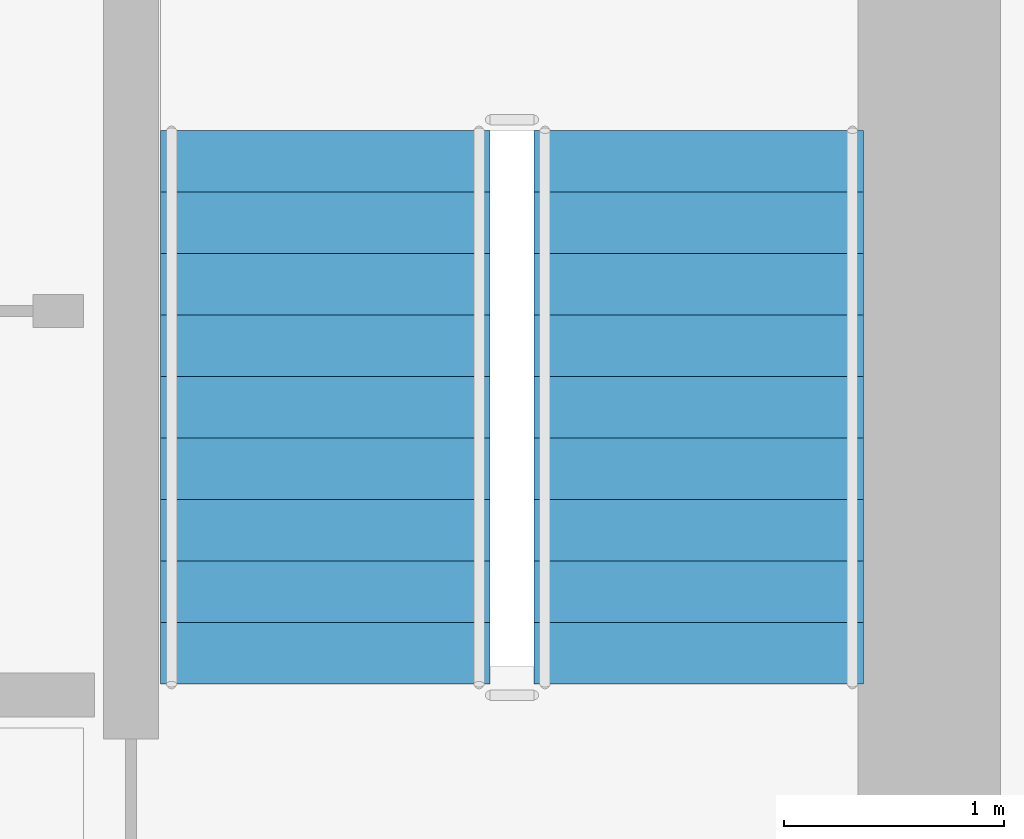
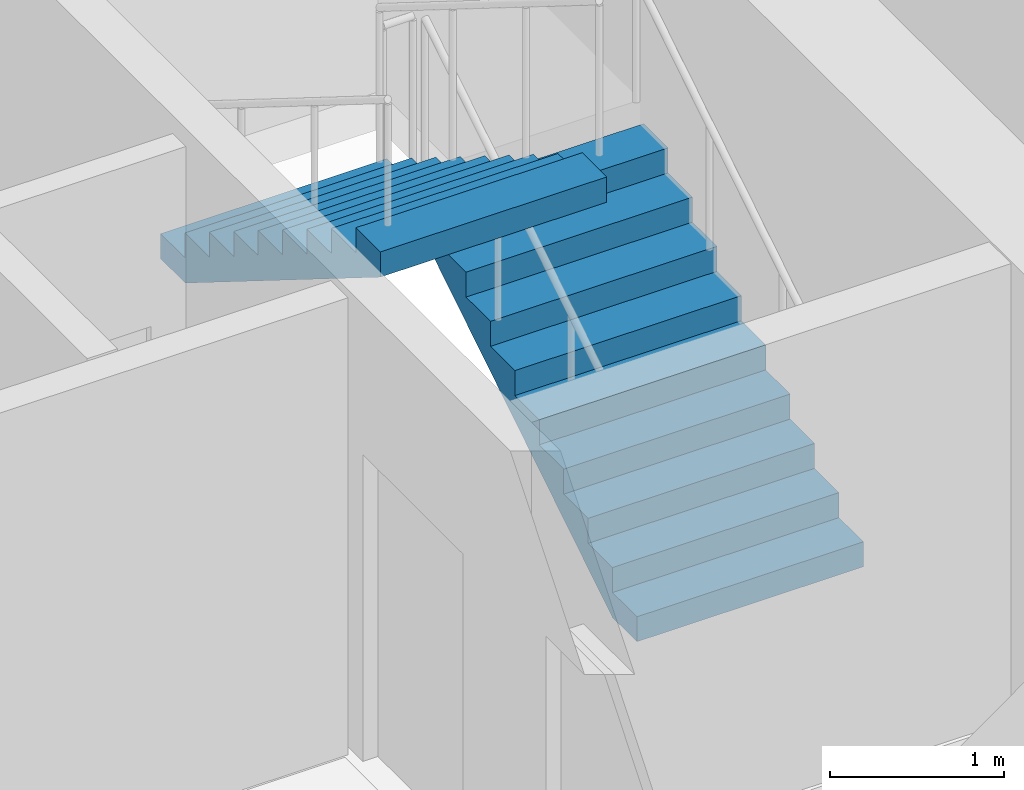
# One storey, part 6 of 10: 2 stair flights, 1 element without a shape of its own.
"""IFC4 building model written with IfcOpenShell, lengths in metres."""

from ifc_helpers import new_model, si_unit, direction, frame, origin, place, context, subcontext, project, spatial, polyline, outline, extrude, material, type_object, element, aggregate, save


model = new_model("IFC4")

# Units and contexts
model_context = context("Model", 3, precision=1e-05, world=origin(), true_north=direction((0.0, 1.0)))
body_context = subcontext(model_context, "Body", "Model", "MODEL_VIEW")
ifc_project = project(units=[si_unit("LENGTHUNIT", "METRE"), si_unit("AREAUNIT", "SQUARE_METRE"), si_unit("VOLUMEUNIT", "CUBIC_METRE"), si_unit("PLANEANGLEUNIT", "RADIAN"), si_unit("MASSUNIT", "GRAM", prefix="KILO")], contexts=[model_context])

# Site, building, storey
site_placement = place(None, origin())
site = spatial("IfcSite", under=ifc_project, at=site_placement, CompositionType="ELEMENT")
building_placement = place(site_placement, origin())
building = spatial("IfcBuilding", under=site, at=building_placement, Name="Kranthara Brick Stack", CompositionType="ELEMENT")
storey_placement = place(building_placement, frame((0.0, 0.0, 144.800048828125)))
storey = spatial("IfcBuildingStorey", under=building, at=storey_placement, Name="L36", CompositionType="ELEMENT", Elevation=144.800048828125)

# Stair, stair flights
ifc_material_1 = material(Name="Concrete C45/55", Category="concrete")
stair_type = type_object("IfcStairType", Name="ST-CORE-20R", PredefinedType="HALF_TURN_STAIR", material=ifc_material_1)
stair_placement = place(storey_placement, origin())
stair = element("IfcStair", 1, at=stair_placement, inside=storey, type_object=stair_type, Name="L36 East Core Protected Exit Stair ST02", PredefinedType="HALF_TURN_STAIR")
ifc_material_2 = material(Name="Concrete C45/55", Category="concrete")
stair_flight_type = type_object("IfcStairFlightType", Name="SFL-RC-20R", PredefinedType="STRAIGHT", material=ifc_material_2)
stair_flight_1_placement = place(storey_placement, frame((42.14990234375, 25.199951171875, 0.0), z_axis=(0.0, 0.0, 1.0), x_axis=(0.0, 1.0, 0.0)))
stair_flight_1 = element("IfcStairFlight", 2, at=stair_flight_1_placement, type_object=stair_flight_type, Name="ST02 flight 1", NumberOfRisers=10, NumberOfTreads=9, PredefinedType="STRAIGHT", RiserHeight=0.175, TreadLength=0.28, context=body_context, shape_type="SweptSolid", body=[
    extrude(outline(polyline([(0.0, 0.0), (0.0, 0.175048828125), (0.280029296875, 0.175048828125), (0.280029296875, 0.35009765625), (0.56005859375, 0.35009765625), (0.56005859375, 0.52490234375), (0.840087890625, 0.52490234375), (0.840087890625, 0.699951171875), (1.1201171875, 0.699951171875), (1.1201171875, 0.875), (1.39990234375, 0.875), (1.39990234375, 1.050048828125), (1.679931640625, 1.050048828125), (1.679931640625, 1.22509765625), (1.9599609375, 1.22509765625), (1.9599609375, 1.39990234375), (2.239990234375, 1.39990234375), (2.239990234375, 1.574951171875), (2.52001953125, 1.574951171875), (2.52001953125, 1.75), (2.52001953125, 1.398193359375), (0.28271484375, 0.0), (0.0, 0.0)])), frame((0.0, 0.75, 0.0), z_axis=(0.0, -1.0, 0.0), x_axis=(1.0, 0.0, 0.0)), (0.0, 0.0, 1.0), 1.5),
])
stair_flight_2_placement = place(storey_placement, frame((40.449951171875, 27.719970703125, 1.75), z_axis=(0.0, 0.0, 1.0), x_axis=(0.0, -1.0, 0.0)))
stair_flight_2 = element("IfcStairFlight", 3, at=stair_flight_2_placement, type_object=stair_flight_type, Name="ST02 flight 2", NumberOfRisers=10, NumberOfTreads=9, PredefinedType="STRAIGHT", RiserHeight=0.175, TreadLength=0.28, context=body_context, shape_type="SweptSolid", body=[
    extrude(outline(polyline([(0.0, 0.0), (0.0, 0.175048828125), (0.280029296875, 0.175048828125), (0.280029296875, 0.35009765625), (0.56005859375, 0.35009765625), (0.56005859375, 0.52490234375), (0.840087890625, 0.52490234375), (0.840087890625, 0.699951171875), (1.1201171875, 0.699951171875), (1.1201171875, 0.875), (1.39990234375, 0.875), (1.39990234375, 1.050048828125), (1.679931640625, 1.050048828125), (1.679931640625, 1.22509765625), (1.9599609375, 1.22509765625), (1.9599609375, 1.39990234375), (2.239990234375, 1.39990234375), (2.239990234375, 1.574951171875), (2.52001953125, 1.574951171875), (2.52001953125, 1.75), (2.52001953125, 1.398193359375), (0.28271484375, 0.0), (0.0, 0.0)])), frame((0.0, 0.75, 0.0), z_axis=(0.0, -1.0, 0.0), x_axis=(1.0, 0.0, 0.0)), (0.0, 0.0, 1.0), 1.5),
])
aggregate(stair, [stair_flight_1, stair_flight_2])

save(model, "model.ifc")
